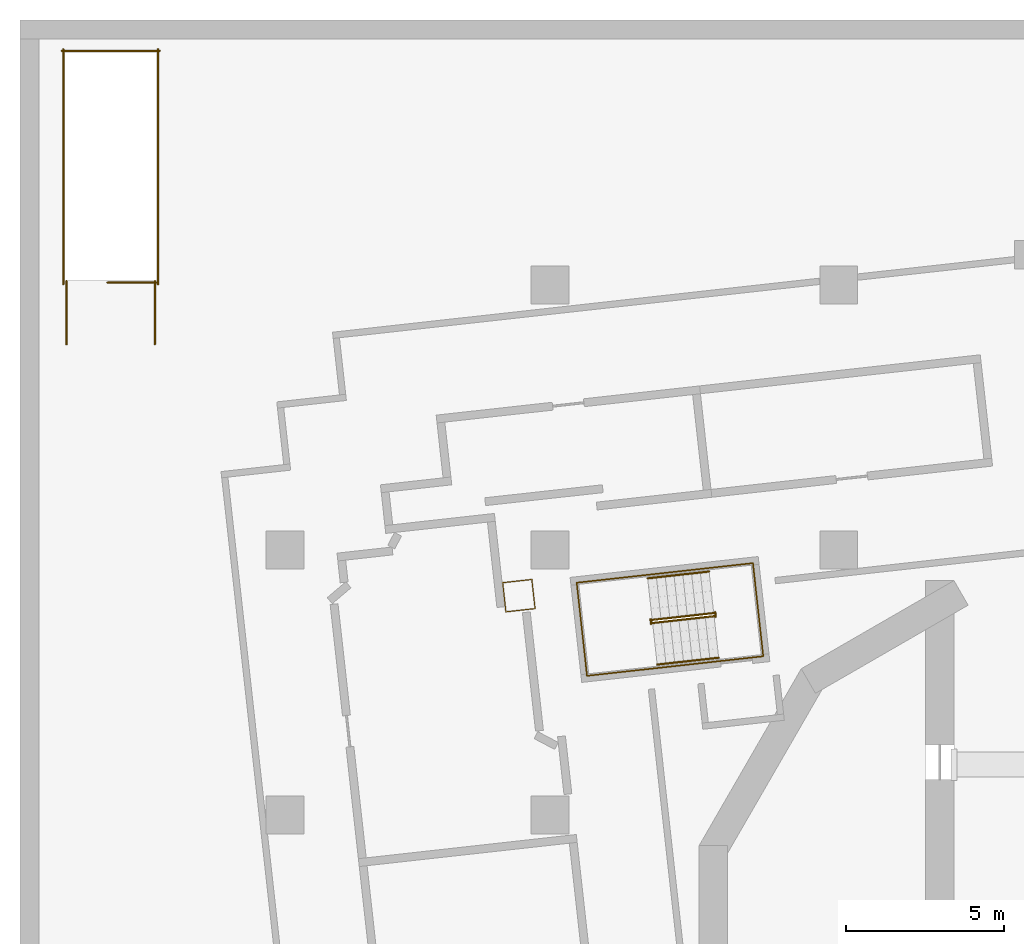
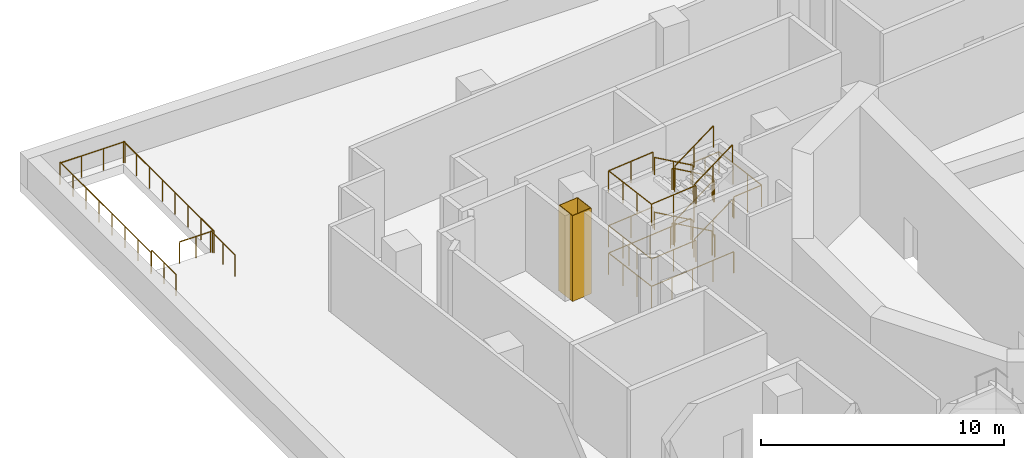
# One storey, part 9 of 12: 19 railings, 1 covering.
"""IFC4 building model written with IfcOpenShell, lengths in metres."""

from ifc_helpers import new_model, si_unit, direction, frame, origin, origin_2d, place, context, subcontext, project, spatial, polyline, circle, outline, extrude, material, layer, layer_set, type_object, element, save


model = new_model("IFC4")

# Units and contexts
model_context = context("Model", 3, precision=1e-05, world=origin(), true_north=direction((0.0, 1.0)))
body_context = subcontext(model_context, "Body", "Model", "MODEL_VIEW")
ifc_project = project(units=[si_unit("LENGTHUNIT", "METRE"), si_unit("AREAUNIT", "SQUARE_METRE"), si_unit("VOLUMEUNIT", "CUBIC_METRE"), si_unit("PLANEANGLEUNIT", "RADIAN"), si_unit("MASSUNIT", "GRAM", prefix="KILO")], contexts=[model_context])

# Site, building, storey
site_placement = place(None, origin())
site = spatial("IfcSite", under=ifc_project, at=site_placement, CompositionType="ELEMENT")
building_placement = place(site_placement, origin())
building = spatial("IfcBuilding", under=site, at=building_placement, Name="Cantera Rosa Tower", CompositionType="ELEMENT")
storey_placement = place(building_placement, frame((0.0, 0.0, 37.0)))
storey = spatial("IfcBuildingStorey", under=building, at=storey_placement, Name="L06", CompositionType="ELEMENT", Elevation=37.0)

# Covering
ifc_material_1 = material(Name="Plaster")
ifc_layer = layer(ifc_material_1, 0.030029296875)
ifc_layer_set = layer_set([ifc_layer], Name="Column casing 30")
covering_type = type_object("IfcCoveringType", Name="Column casing 30", PredefinedType="CLADDING", material=ifc_layer_set)
covering_placement = place(storey_placement, origin())
element("IfcCovering", 1, at=covering_placement, inside=storey, type_object=covering_type, Name="Column casing L06-001", PredefinedType="CLADDING", context=body_context, shape_type="SweptSolid", body=[
    extrude(outline(polyline([(-18.21337890625, 10.625732421875), (-17.25927734375, 10.731689453125), (-17.364990234375, 11.685791015625), (-18.319091796875, 11.579833984375), (-18.21337890625, 10.625732421875)]), holes=[polyline([(-17.3916015625, 11.652587890625), (-18.2861328125, 11.55322265625), (-18.186767578125, 10.65869140625), (-17.292236328125, 10.758056640625), (-17.3916015625, 11.652587890625)])]), origin(), (0.0, 0.0, 1.0), 4.300048828125),
])

# Railings
ifc_material_2 = material(Name="Steel S355J2 (EN 10025-2)", Category="steel")
railing_type_1 = type_object("IfcRailingType", Name="STAIR GUARD 1100", PredefinedType="GUARDRAIL", material=ifc_material_2)
railing_1_placement = place(storey_placement, frame((-11.614013671875, 10.60302734375, 0.171875)))
element("IfcRailing", 2, at=railing_1_placement, inside=storey, type_object=railing_type_1, Name="L06 ST-12 stair guard 1", PredefinedType="GUARDRAIL", context=body_context, shape_type="SweptSolid", body=[
    extrude(circle(Radius=0.02392578125, at=origin_2d()), frame((0.0, 0.0, 1.076171875), z_axis=(-0.847044544506, -0.093950923911, 0.523152715293), x_axis=(0.110240119108, -0.993904983456, 0.0)), (0.0, 0.0, 1.0), 2.2998046875),
    extrude(circle(Radius=0.02392578125, at=origin_2d()), frame((-1.947998046875, -0.216064453125, 2.279296875), z_axis=(-0.932897555956, 0.360141847183, 0.0), x_axis=(-0.360141847183, -0.932897555956, 0.0)), (0.0, 0.0, 1.0), 0.05615234375),
    extrude(circle(Radius=0.02392578125, at=origin_2d()), frame((-2.00048828125, -0.19580078125, 2.279296875), z_axis=(0.110610055588, -0.993863881828, 0.0), x_axis=(0.993863881828, 0.110610055588, 0.0)), (0.0, 0.0, 1.0), 0.150146484375),
    extrude(circle(Radius=0.02099609375, at=origin_2d()), origin(), (0.0, 0.0, 1.0), 1.052001953125),
    extrude(circle(Radius=0.02099609375, at=origin_2d()), frame((-0.97412109375, -0.10791015625, 0.6015625)), (0.0, 0.0, 1.0), 1.052001953125),
    extrude(circle(Radius=0.02099609375, at=origin_2d()), frame((-1.947998046875, -0.216064453125, 1.203125)), (0.0, 0.0, 1.0), 1.052001953125),
    extrude(circle(Radius=0.02099609375, at=origin_2d()), frame((-2.00048828125, -0.19580078125, 1.203125)), (0.0, 0.0, 1.0), 1.052001953125),
    extrude(circle(Radius=0.02099609375, at=origin_2d()), frame((-1.98388671875, -0.344970703125, 1.203125)), (0.0, 0.0, 1.0), 1.052001953125),
])
railing_2_placement = place(storey_placement, frame((-13.55126953125, 10.28955078125, 1.546875)))
element("IfcRailing", 3, at=railing_2_placement, inside=storey, type_object=railing_type_1, Name="L06 ST-12 stair guard 2", PredefinedType="GUARDRAIL", context=body_context, shape_type="SweptSolid", body=[
    extrude(circle(Radius=0.02392578125, at=origin_2d()), frame((0.0, 0.0, 1.076171875), z_axis=(0.847074532095, 0.093942476304, 0.52310567596), x_axis=(-0.110226472412, 0.993906497, 0.0)), (0.0, 0.0, 1.0), 2.300048828125),
    extrude(circle(Radius=0.02392578125, at=origin_2d()), frame((1.9482421875, 0.216064453125, 2.279296875), z_axis=(0.932897555956, -0.360141847183, 0.0), x_axis=(0.360141847183, 0.932897555956, 0.0)), (0.0, 0.0, 1.0), 0.05615234375),
    extrude(circle(Radius=0.02392578125, at=origin_2d()), frame((2.000732421875, 0.19580078125, 2.279296875), z_axis=(-0.110610055588, 0.993863881828, 0.0), x_axis=(-0.993863881828, -0.110610055588, 0.0)), (0.0, 0.0, 1.0), 0.150146484375),
    extrude(circle(Radius=0.02099609375, at=origin_2d()), origin(), (0.0, 0.0, 1.0), 1.052001953125),
    extrude(circle(Radius=0.02099609375, at=origin_2d()), frame((0.97412109375, 0.10791015625, 0.6015625)), (0.0, 0.0, 1.0), 1.052001953125),
    extrude(circle(Radius=0.02099609375, at=origin_2d()), frame((1.9482421875, 0.216064453125, 1.203125)), (0.0, 0.0, 1.0), 1.052001953125),
    extrude(circle(Radius=0.02099609375, at=origin_2d()), frame((2.000732421875, 0.19580078125, 1.203125)), (0.0, 0.0, 1.0), 1.052001953125),
    extrude(circle(Radius=0.02099609375, at=origin_2d()), frame((1.984130859375, 0.344970703125, 1.203125)), (0.0, 0.0, 1.0), 1.052001953125),
])
railing_3_placement = place(storey_placement, frame((-11.614013671875, 10.60302734375, 2.921875)))
element("IfcRailing", 4, at=railing_3_placement, inside=storey, type_object=railing_type_1, Name="L06 ST-12 stair guard 3", PredefinedType="GUARDRAIL", context=body_context, shape_type="SweptSolid", body=[
    extrude(circle(Radius=0.02392578125, at=origin_2d()), frame((0.0, 0.0, 1.076171875), z_axis=(-0.847044544506, -0.093950923911, 0.523152715293), x_axis=(0.110240119108, -0.993904983456, 0.0)), (0.0, 0.0, 1.0), 2.2998046875),
    extrude(circle(Radius=0.02392578125, at=origin_2d()), frame((-1.947998046875, -0.216064453125, 2.279296875), z_axis=(-0.932897555956, 0.360141847183, 0.0), x_axis=(-0.360141847183, -0.932897555956, 0.0)), (0.0, 0.0, 1.0), 0.05615234375),
    extrude(circle(Radius=0.02392578125, at=origin_2d()), frame((-2.00048828125, -0.19580078125, 2.279296875), z_axis=(0.110610055588, -0.993863881828, 0.0), x_axis=(0.993863881828, 0.110610055588, 0.0)), (0.0, 0.0, 1.0), 0.150146484375),
    extrude(circle(Radius=0.02099609375, at=origin_2d()), origin(), (0.0, 0.0, 1.0), 1.052001953125),
    extrude(circle(Radius=0.02099609375, at=origin_2d()), frame((-0.97412109375, -0.10791015625, 0.6015625)), (0.0, 0.0, 1.0), 1.052001953125),
    extrude(circle(Radius=0.02099609375, at=origin_2d()), frame((-1.947998046875, -0.216064453125, 1.203125)), (0.0, 0.0, 1.0), 1.052001953125),
    extrude(circle(Radius=0.02099609375, at=origin_2d()), frame((-2.00048828125, -0.19580078125, 1.203125)), (0.0, 0.0, 1.0), 1.052001953125),
    extrude(circle(Radius=0.02099609375, at=origin_2d()), frame((-1.98388671875, -0.344970703125, 1.203125)), (0.0, 0.0, 1.0), 1.052001953125),
])
railing_4_placement = place(storey_placement, frame((-13.55126953125, 10.28955078125, 4.296875)))
element("IfcRailing", 5, at=railing_4_placement, inside=storey, type_object=railing_type_1, Name="L06 ST-12 stair guard 4", PredefinedType="GUARDRAIL", context=body_context, shape_type="SweptSolid", body=[
    extrude(circle(Radius=0.02392578125, at=origin_2d()), frame((0.0, 0.0, 1.076171875), z_axis=(0.847074532095, 0.093942476304, 0.52310567596), x_axis=(-0.110226472412, 0.993906497, 0.0)), (0.0, 0.0, 1.0), 2.300048828125),
    extrude(circle(Radius=0.02099609375, at=origin_2d()), origin(), (0.0, 0.0, 1.0), 1.052001953125),
    extrude(circle(Radius=0.02099609375, at=origin_2d()), frame((0.97412109375, 0.10791015625, 0.6015625)), (0.0, 0.0, 1.0), 1.052001953125),
    extrude(circle(Radius=0.02099609375, at=origin_2d()), frame((1.9482421875, 0.216064453125, 1.203125)), (0.0, 0.0, 1.0), 1.052001953125),
])
railing_5_placement = place(storey_placement, frame((-11.567138671875, 10.634521484375, 0.0)))
element("IfcRailing", 6, at=railing_5_placement, inside=storey, type_object=railing_type_1, Name="L06 ST-12 stair guard 5", PredefinedType="GUARDRAIL", context=body_context, shape_type="SweptSolid", body=[
    extrude(circle(Radius=0.02392578125, at=origin_2d()), frame((0.0, 0.0, 1.076171875), z_axis=(0.110610055588, -0.993863881828, 0.0), x_axis=(0.993863881828, 0.110610055588, 0.0)), (0.0, 0.0, 1.0), 0.150146484375),
    extrude(circle(Radius=0.02099609375, at=origin_2d()), origin(), (0.0, 0.0, 1.0), 1.052001953125),
    extrude(circle(Radius=0.02099609375, at=origin_2d()), frame((0.0166015625, -0.149169921875, 0.0)), (0.0, 0.0, 1.0), 1.052001953125),
])
railing_6_placement = place(storey_placement, frame((-11.7841796875, 12.029052734375, 0.0)))
element("IfcRailing", 7, at=railing_6_placement, inside=storey, type_object=railing_type_1, Name="L06 ST-12 stair guard 6", PredefinedType="GUARDRAIL", context=body_context, shape_type="SweptSolid", body=[
    extrude(circle(Radius=0.02392578125, at=origin_2d()), frame((0.0, 0.0, 1.076171875), z_axis=(-0.9938957856, -0.110323013767, 0.0), x_axis=(0.110323013767, -0.9938957856, 0.0)), (0.0, 0.0, 1.0), 4.197998046875),
    extrude(circle(Radius=0.02392578125, at=origin_2d()), frame((-4.17236328125, -0.463134765625, 1.076171875), z_axis=(0.11023303584, -0.99390576908, 0.0), x_axis=(0.99390576908, 0.11023303584, 0.0)), (0.0, 0.0, 1.0), 2.969970703125),
    extrude(circle(Radius=0.02392578125, at=origin_2d()), frame((-3.844970703125, -3.4150390625, 1.076171875), z_axis=(0.993896493372, 0.11031663729, 0.0), x_axis=(-0.11031663729, 0.993896493372, 0.0)), (0.0, 0.0, 1.0), 4.1982421875),
    extrude(circle(Radius=0.02099609375, at=origin_2d()), origin(), (0.0, 0.0, 1.0), 1.052001953125),
    extrude(circle(Radius=0.02099609375, at=origin_2d()), frame((-1.04296875, -0.11572265625, 0.0)), (0.0, 0.0, 1.0), 1.052001953125),
    extrude(circle(Radius=0.02099609375, at=origin_2d()), frame((-2.086181640625, -0.2314453125, 0.0)), (0.0, 0.0, 1.0), 1.052001953125),
    extrude(circle(Radius=0.02099609375, at=origin_2d()), frame((-3.12939453125, -0.347412109375, 0.0)), (0.0, 0.0, 1.0), 1.052001953125),
    extrude(circle(Radius=0.02099609375, at=origin_2d()), frame((-4.17236328125, -0.463134765625, 0.0)), (0.0, 0.0, 1.0), 1.052001953125),
    extrude(circle(Radius=0.02099609375, at=origin_2d()), frame((-4.063232421875, -1.447021484375, 0.0)), (0.0, 0.0, 1.0), 1.052001953125),
    extrude(circle(Radius=0.02099609375, at=origin_2d()), frame((-3.9541015625, -2.43115234375, 0.0)), (0.0, 0.0, 1.0), 1.052001953125),
    extrude(circle(Radius=0.02099609375, at=origin_2d()), frame((-3.844970703125, -3.4150390625, 0.0)), (0.0, 0.0, 1.0), 1.052001953125),
    extrude(circle(Radius=0.02099609375, at=origin_2d()), frame((-2.8017578125, -3.29931640625, 0.0)), (0.0, 0.0, 1.0), 1.052001953125),
    extrude(circle(Radius=0.02099609375, at=origin_2d()), frame((-1.7587890625, -3.18359375, 0.0)), (0.0, 0.0, 1.0), 1.052001953125),
    extrude(circle(Radius=0.02099609375, at=origin_2d()), frame((-0.715576171875, -3.067626953125, 0.0)), (0.0, 0.0, 1.0), 1.052001953125),
    extrude(circle(Radius=0.02099609375, at=origin_2d()), frame((0.32763671875, -2.951904296875, 0.0)), (0.0, 0.0, 1.0), 1.052001953125),
])
railing_7_placement = place(storey_placement, frame((-13.70849609375, 11.8154296875, 1.375)))
element("IfcRailing", 8, at=railing_7_placement, inside=storey, type_object=railing_type_1, Name="L06 ST-12 stair guard 7", PredefinedType="GUARDRAIL", context=body_context, shape_type="SweptSolid", body=[
    extrude(circle(Radius=0.02392578125, at=origin_2d()), frame((0.0, 0.0, 1.076171875), z_axis=(-0.993896890834, -0.110313056302, 0.0), x_axis=(0.110313056302, -0.993896890834, 0.0)), (0.0, 0.0, 1.0), 2.261962890625),
    extrude(circle(Radius=0.02392578125, at=origin_2d()), frame((-2.248046875, -0.24951171875, 1.076171875), z_axis=(0.11023303584, -0.99390576908, 0.0), x_axis=(0.99390576908, 0.11023303584, 0.0)), (0.0, 0.0, 1.0), 2.969970703125),
    extrude(circle(Radius=0.02392578125, at=origin_2d()), frame((-1.920654296875, -3.201416015625, 1.076171875), z_axis=(0.993898204122, 0.110301223218, 0.0), x_axis=(-0.110301223218, 0.993898204122, 0.0)), (0.0, 0.0, 1.0), 2.26220703125),
    extrude(circle(Radius=0.02099609375, at=origin_2d()), origin(), (0.0, 0.0, 1.0), 1.052001953125),
    extrude(circle(Radius=0.02099609375, at=origin_2d()), frame((-1.1240234375, -0.124755859375, 0.0)), (0.0, 0.0, 1.0), 1.052001953125),
    extrude(circle(Radius=0.02099609375, at=origin_2d()), frame((-2.248046875, -0.24951171875, 0.0)), (0.0, 0.0, 1.0), 1.052001953125),
    extrude(circle(Radius=0.02099609375, at=origin_2d()), frame((-2.138916015625, -1.2333984375, 0.0)), (0.0, 0.0, 1.0), 1.052001953125),
    extrude(circle(Radius=0.02099609375, at=origin_2d()), frame((-2.02978515625, -2.217529296875, 0.0)), (0.0, 0.0, 1.0), 1.052001953125),
    extrude(circle(Radius=0.02099609375, at=origin_2d()), frame((-1.920654296875, -3.201416015625, 0.0)), (0.0, 0.0, 1.0), 1.052001953125),
    extrude(circle(Radius=0.02099609375, at=origin_2d()), frame((-0.79638671875, -3.07666015625, 0.0)), (0.0, 0.0, 1.0), 1.052001953125),
    extrude(circle(Radius=0.02099609375, at=origin_2d()), frame((0.32763671875, -2.951904296875, 0.0)), (0.0, 0.0, 1.0), 1.052001953125),
])
railing_8_placement = place(storey_placement, frame((-11.7841796875, 12.029052734375, 2.75)))
element("IfcRailing", 9, at=railing_8_placement, inside=storey, type_object=railing_type_1, Name="L06 ST-12 stair guard 8", PredefinedType="GUARDRAIL", context=body_context, shape_type="SweptSolid", body=[
    extrude(circle(Radius=0.02392578125, at=origin_2d()), frame((0.0, 0.0, 1.076171875), z_axis=(0.993887921413, 0.110393838913, 0.0), x_axis=(-0.110393838913, 0.993887921413, 0.0)), (0.0, 0.0, 1.0), 1.422119140625),
    extrude(circle(Radius=0.02392578125, at=origin_2d()), frame((1.413330078125, 0.156982421875, 1.076171875), z_axis=(0.11023303584, -0.99390576908, 0.0), x_axis=(0.99390576908, 0.11023303584, 0.0)), (0.0, 0.0, 1.0), 2.969970703125),
    extrude(circle(Radius=0.02392578125, at=origin_2d()), frame((1.74072265625, -2.794921875, 1.076171875), z_axis=(-0.993885828579, -0.110412679298, 0.0), x_axis=(0.110412679298, -0.993885828579, 0.0)), (0.0, 0.0, 1.0), 1.421875),
    extrude(circle(Radius=0.02099609375, at=origin_2d()), origin(), (0.0, 0.0, 1.0), 1.052001953125),
    extrude(circle(Radius=0.02099609375, at=origin_2d()), frame((0.70654296875, 0.07861328125, 0.0)), (0.0, 0.0, 1.0), 1.052001953125),
    extrude(circle(Radius=0.02099609375, at=origin_2d()), frame((1.413330078125, 0.156982421875, 0.0)), (0.0, 0.0, 1.0), 1.052001953125),
    extrude(circle(Radius=0.02099609375, at=origin_2d()), frame((1.5224609375, -0.826904296875, 0.0)), (0.0, 0.0, 1.0), 1.052001953125),
    extrude(circle(Radius=0.02099609375, at=origin_2d()), frame((1.631591796875, -1.81103515625, 0.0)), (0.0, 0.0, 1.0), 1.052001953125),
    extrude(circle(Radius=0.02099609375, at=origin_2d()), frame((1.74072265625, -2.794921875, 0.0)), (0.0, 0.0, 1.0), 1.052001953125),
    extrude(circle(Radius=0.02099609375, at=origin_2d()), frame((1.0341796875, -2.87353515625, 0.0)), (0.0, 0.0, 1.0), 1.052001953125),
    extrude(circle(Radius=0.02099609375, at=origin_2d()), frame((0.32763671875, -2.951904296875, 0.0)), (0.0, 0.0, 1.0), 1.052001953125),
])
railing_9_placement = place(storey_placement, frame((-13.70849609375, 11.8154296875, 4.125)))
element("IfcRailing", 10, at=railing_9_placement, inside=storey, type_object=railing_type_1, Name="L06 ST-12 stair guard 9", PredefinedType="GUARDRAIL", context=body_context, shape_type="SweptSolid", body=[
    extrude(circle(Radius=0.02392578125, at=origin_2d()), frame((0.0, 0.0, 1.076171875), z_axis=(-0.993896890834, -0.110313056302, 0.0), x_axis=(0.110313056302, -0.993896890834, 0.0)), (0.0, 0.0, 1.0), 2.261962890625),
    extrude(circle(Radius=0.02392578125, at=origin_2d()), frame((-2.248046875, -0.24951171875, 1.076171875), z_axis=(0.11023303584, -0.99390576908, 0.0), x_axis=(0.99390576908, 0.11023303584, 0.0)), (0.0, 0.0, 1.0), 2.969970703125),
    extrude(circle(Radius=0.02392578125, at=origin_2d()), frame((-1.920654296875, -3.201416015625, 1.076171875), z_axis=(0.993898204122, 0.110301223218, 0.0), x_axis=(-0.110301223218, 0.993898204122, 0.0)), (0.0, 0.0, 1.0), 2.26220703125),
    extrude(circle(Radius=0.02099609375, at=origin_2d()), origin(), (0.0, 0.0, 1.0), 1.052001953125),
    extrude(circle(Radius=0.02099609375, at=origin_2d()), frame((-1.1240234375, -0.124755859375, 0.0)), (0.0, 0.0, 1.0), 1.052001953125),
    extrude(circle(Radius=0.02099609375, at=origin_2d()), frame((-2.248046875, -0.24951171875, 0.0)), (0.0, 0.0, 1.0), 1.052001953125),
    extrude(circle(Radius=0.02099609375, at=origin_2d()), frame((-2.138916015625, -1.2333984375, 0.0)), (0.0, 0.0, 1.0), 1.052001953125),
    extrude(circle(Radius=0.02099609375, at=origin_2d()), frame((-2.02978515625, -2.217529296875, 0.0)), (0.0, 0.0, 1.0), 1.052001953125),
    extrude(circle(Radius=0.02099609375, at=origin_2d()), frame((-1.920654296875, -3.201416015625, 0.0)), (0.0, 0.0, 1.0), 1.052001953125),
    extrude(circle(Radius=0.02099609375, at=origin_2d()), frame((-0.79638671875, -3.07666015625, 0.0)), (0.0, 0.0, 1.0), 1.052001953125),
    extrude(circle(Radius=0.02099609375, at=origin_2d()), frame((0.32763671875, -2.951904296875, 0.0)), (0.0, 0.0, 1.0), 1.052001953125),
])
railing_10_placement = place(storey_placement, frame((-29.27490234375, 21.074951171875, 0.0)))
element("IfcRailing", 11, at=railing_10_placement, inside=storey, type_object=railing_type_1, Name="L06 ST-NW top well guard 1", PredefinedType="GUARDRAIL", context=body_context, shape_type="SweptSolid", body=[
    extrude(circle(Radius=0.02392578125, at=origin_2d()), frame((0.0, 0.0, 1.076171875), z_axis=(-1.0, 0.0, 0.0), x_axis=(0.0, -1.0, 0.0)), (0.0, 0.0, 1.0), 1.550048828125),
    extrude(circle(Radius=0.02099609375, at=origin_2d()), origin(), (0.0, 0.0, 1.0), 1.052001953125),
    extrude(circle(Radius=0.02099609375, at=origin_2d()), frame((-0.77490234375, 0.0, 0.0)), (0.0, 0.0, 1.0), 1.052001953125),
    extrude(circle(Radius=0.02099609375, at=origin_2d()), frame((-1.550048828125, 0.0, 0.0)), (0.0, 0.0, 1.0), 1.052001953125),
])
for number, where, name in (
    (12, (-29.22509765625, 21.02490234375, 0.0), "L06 ST-NW top well guard 2"),
    (13, (-32.22509765625, 21.02490234375, 0.0), "L06 ST-NW top well guard 3"),
):
    element("IfcRailing", number, at=place(storey_placement, frame(where)), inside=storey, type_object=railing_type_1, Name=name, PredefinedType="GUARDRAIL", context=body_context, shape_type="SweptSolid", body=[
        extrude(circle(Radius=0.02392578125, at=origin_2d()), frame((0.0, 0.0, 1.076171875), z_axis=(0.0, 1.0, 0.0), x_axis=(-1.0, 0.0, 0.0)), (0.0, 0.0, 1.0), 7.4501953125),
        extrude(circle(Radius=0.02099609375, at=origin_2d()), origin(), (0.0, 0.0, 1.0), 1.052001953125),
        extrude(circle(Radius=0.02099609375, at=origin_2d()), frame((0.0, 1.064208984375, 0.0)), (0.0, 0.0, 1.0), 1.052001953125),
        extrude(circle(Radius=0.02099609375, at=origin_2d()), frame((0.0, 2.128662109375, 0.0)), (0.0, 0.0, 1.0), 1.052001953125),
        extrude(circle(Radius=0.02099609375, at=origin_2d()), frame((0.0, 3.19287109375, 0.0)), (0.0, 0.0, 1.0), 1.052001953125),
        extrude(circle(Radius=0.02099609375, at=origin_2d()), frame((0.0, 4.25732421875, 0.0)), (0.0, 0.0, 1.0), 1.052001953125),
        extrude(circle(Radius=0.02099609375, at=origin_2d()), frame((0.0, 5.321533203125, 0.0)), (0.0, 0.0, 1.0), 1.052001953125),
        extrude(circle(Radius=0.02099609375, at=origin_2d()), frame((0.0, 6.385986328125, 0.0)), (0.0, 0.0, 1.0), 1.052001953125),
        extrude(circle(Radius=0.02099609375, at=origin_2d()), frame((0.0, 7.4501953125, 0.0)), (0.0, 0.0, 1.0), 1.052001953125),
    ])
railing_11_placement = place(storey_placement, frame((-29.175048828125, 28.425048828125, 0.0)))
element("IfcRailing", 14, at=railing_11_placement, inside=storey, type_object=railing_type_1, Name="L06 ST-NW top well guard 4", PredefinedType="GUARDRAIL", context=body_context, shape_type="SweptSolid", body=[
    extrude(circle(Radius=0.02392578125, at=origin_2d()), frame((0.0, 0.0, 1.076171875), z_axis=(-1.0, 0.0, 0.0), x_axis=(0.0, -1.0, 0.0)), (0.0, 0.0, 1.0), 3.099853515625),
    extrude(circle(Radius=0.02099609375, at=origin_2d()), origin(), (0.0, 0.0, 1.0), 1.052001953125),
    extrude(circle(Radius=0.02099609375, at=origin_2d()), frame((-1.033203125, 0.0, 0.0)), (0.0, 0.0, 1.0), 1.052001953125),
    extrude(circle(Radius=0.02099609375, at=origin_2d()), frame((-2.066650390625, 0.0, 0.0)), (0.0, 0.0, 1.0), 1.052001953125),
    extrude(circle(Radius=0.02099609375, at=origin_2d()), frame((-3.099853515625, 0.0, 0.0)), (0.0, 0.0, 1.0), 1.052001953125),
])
for number, where, name in (
    (15, (-29.324951171875, 19.125, 0.0), "L06 ST-NW top well guard 5"),
    (16, (-32.125, 19.125, 0.0), "L06 ST-NW top well guard 6"),
):
    element("IfcRailing", number, at=place(storey_placement, frame(where)), inside=storey, type_object=railing_type_1, Name=name, PredefinedType="GUARDRAIL", context=body_context, shape_type="SweptSolid", body=[
        extrude(circle(Radius=0.02392578125, at=origin_2d()), frame((0.0, 0.0, 1.076171875), z_axis=(0.0, 1.0, 0.0), x_axis=(-1.0, 0.0, 0.0)), (0.0, 0.0, 1.0), 2.0),
        extrude(circle(Radius=0.02099609375, at=origin_2d()), origin(), (0.0, 0.0, 1.0), 1.052001953125),
        extrude(circle(Radius=0.02099609375, at=origin_2d()), frame((0.0, 1.0, 0.0)), (0.0, 0.0, 1.0), 1.052001953125),
        extrude(circle(Radius=0.02099609375, at=origin_2d()), frame((0.0, 2.0, 0.0)), (0.0, 0.0, 1.0), 1.052001953125),
    ])
ifc_material_3 = material(Name="Steel S355J2 (EN 10025-2)", Category="steel")
railing_type_2 = type_object("IfcRailingType", Name="STAIR HANDRAIL 900", PredefinedType="HANDRAIL", material=ifc_material_3)
railing_12_placement = place(storey_placement, frame((-11.76025390625, 11.921142578125, 0.171875)))
element("IfcRailing", 17, at=railing_12_placement, inside=storey, type_object=railing_type_2, Name="L06 ST-12 stair handrail 1", PredefinedType="HANDRAIL", context=body_context, shape_type="SweptSolid", body=[
    extrude(circle(Radius=0.02392578125, at=origin_2d()), frame((0.0, 0.0, 0.8759765625), z_axis=(-0.847036091642, -0.094056144529, 0.523147494625), x_axis=(0.110363167853, -0.993891327652, 0.0)), (0.0, 0.0, 1.0), 2.2998046875),
    extrude(circle(Radius=0.02099609375, at=origin_2d()), origin(), (0.0, 0.0, 1.0), 0.851806640625),
    extrude(circle(Radius=0.02099609375, at=origin_2d()), frame((-0.97412109375, -0.108154296875, 0.6015625)), (0.0, 0.0, 1.0), 0.851806640625),
    extrude(circle(Radius=0.02099609375, at=origin_2d()), frame((-1.947998046875, -0.21630859375, 1.203125)), (0.0, 0.0, 1.0), 0.851806640625),
])
railing_13_placement = place(storey_placement, frame((-13.40478515625, 8.9716796875, 1.546875)))
element("IfcRailing", 18, at=railing_13_placement, inside=storey, type_object=railing_type_2, Name="L06 ST-12 stair handrail 2", PredefinedType="HANDRAIL", context=body_context, shape_type="SweptSolid", body=[
    extrude(circle(Radius=0.02392578125, at=origin_2d()), frame((0.0, 0.0, 0.8759765625), z_axis=(0.847044544506, 0.093950923911, 0.523152715293), x_axis=(-0.110240119108, 0.993904983456, 0.0)), (0.0, 0.0, 1.0), 2.2998046875),
    extrude(circle(Radius=0.02099609375, at=origin_2d()), origin(), (0.0, 0.0, 1.0), 0.851806640625),
    extrude(circle(Radius=0.02099609375, at=origin_2d()), frame((0.97412109375, 0.10791015625, 0.6015625)), (0.0, 0.0, 1.0), 0.851806640625),
    extrude(circle(Radius=0.02099609375, at=origin_2d()), frame((1.947998046875, 0.216064453125, 1.203125)), (0.0, 0.0, 1.0), 0.851806640625),
])
railing_14_placement = place(storey_placement, frame((-11.76025390625, 11.921142578125, 2.921875)))
element("IfcRailing", 19, at=railing_14_placement, inside=storey, type_object=railing_type_2, Name="L06 ST-12 stair handrail 3", PredefinedType="HANDRAIL", context=body_context, shape_type="SweptSolid", body=[
    extrude(circle(Radius=0.02392578125, at=origin_2d()), frame((0.0, 0.0, 0.8759765625), z_axis=(-0.847036091642, -0.094056144529, 0.523147494625), x_axis=(0.110363167853, -0.993891327652, 0.0)), (0.0, 0.0, 1.0), 2.2998046875),
    extrude(circle(Radius=0.02099609375, at=origin_2d()), origin(), (0.0, 0.0, 1.0), 0.851806640625),
    extrude(circle(Radius=0.02099609375, at=origin_2d()), frame((-0.97412109375, -0.108154296875, 0.6015625)), (0.0, 0.0, 1.0), 0.851806640625),
    extrude(circle(Radius=0.02099609375, at=origin_2d()), frame((-1.947998046875, -0.21630859375, 1.203125)), (0.0, 0.0, 1.0), 0.851806640625),
])
railing_15_placement = place(storey_placement, frame((-13.40478515625, 8.9716796875, 4.296875)))
element("IfcRailing", 20, at=railing_15_placement, inside=storey, type_object=railing_type_2, Name="L06 ST-12 stair handrail 4", PredefinedType="HANDRAIL", context=body_context, shape_type="SweptSolid", body=[
    extrude(circle(Radius=0.02392578125, at=origin_2d()), frame((0.0, 0.0, 0.8759765625), z_axis=(0.847044544506, 0.093950923911, 0.523152715293), x_axis=(-0.110240119108, 0.993904983456, 0.0)), (0.0, 0.0, 1.0), 2.2998046875),
    extrude(circle(Radius=0.02099609375, at=origin_2d()), origin(), (0.0, 0.0, 1.0), 0.851806640625),
    extrude(circle(Radius=0.02099609375, at=origin_2d()), frame((0.97412109375, 0.10791015625, 0.6015625)), (0.0, 0.0, 1.0), 0.851806640625),
    extrude(circle(Radius=0.02099609375, at=origin_2d()), frame((1.947998046875, 0.216064453125, 1.203125)), (0.0, 0.0, 1.0), 0.851806640625),
])

save(model, "model.ifc")
